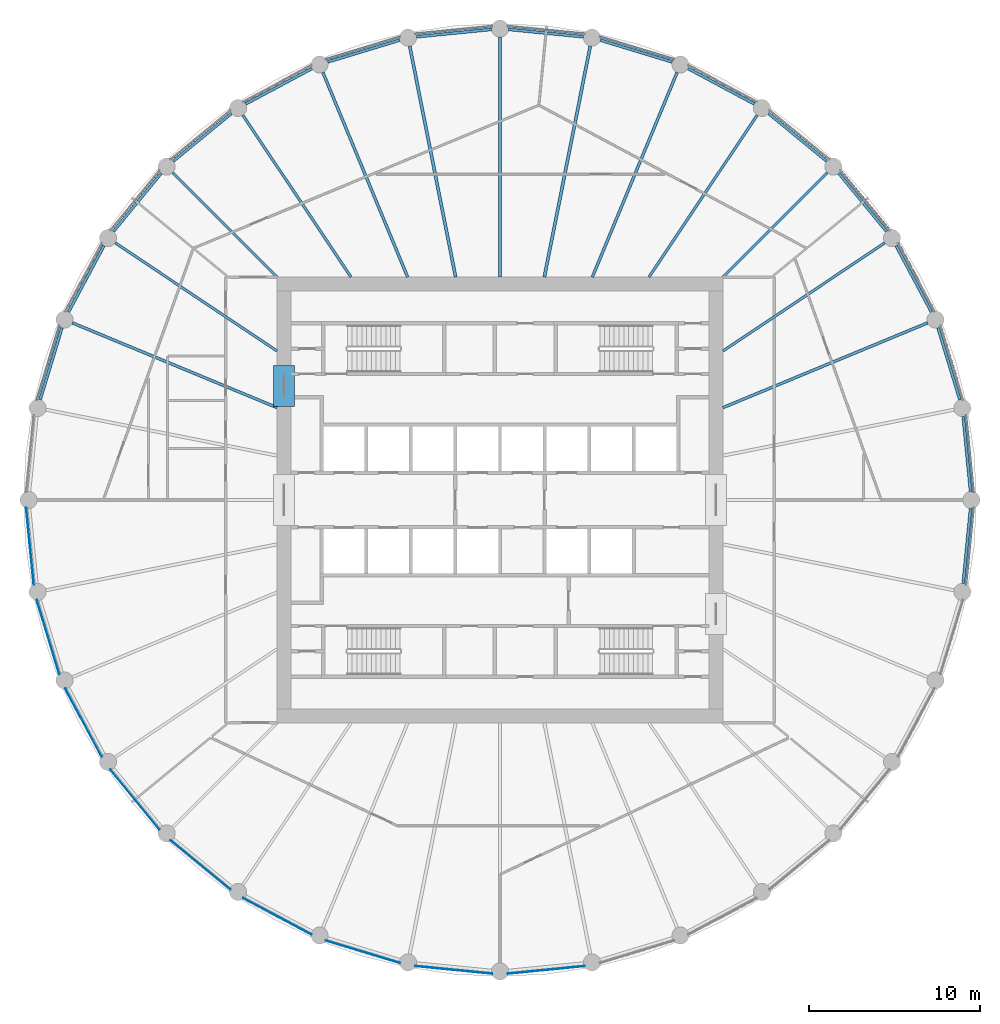
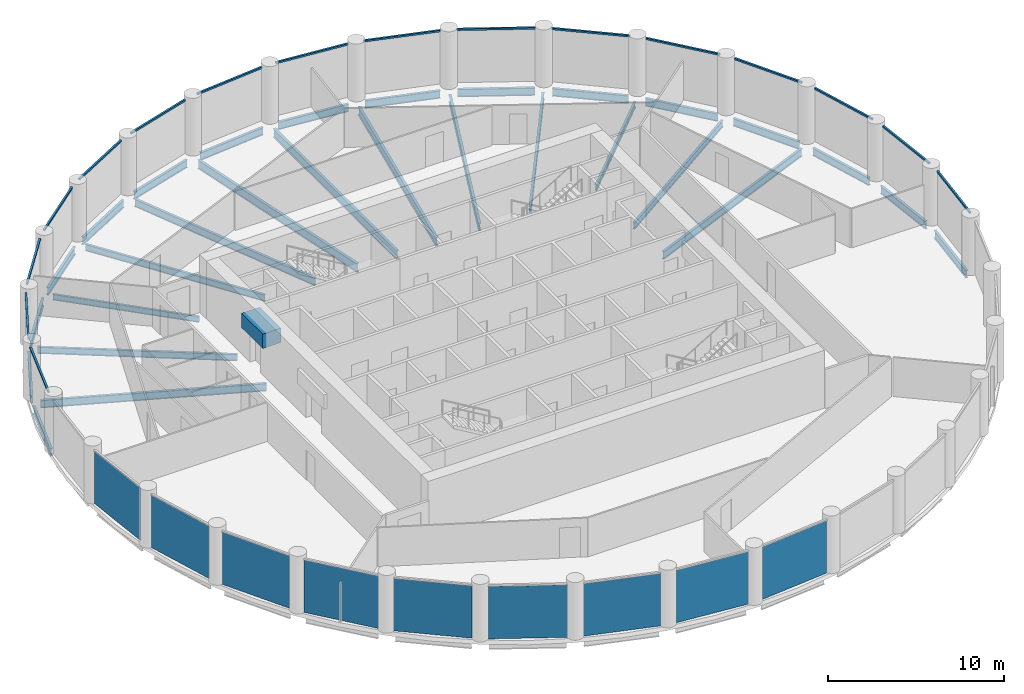
# One storey, part 2 of 8: 30 beams, 16 members, 9 plates, 25 elements without a shape of their own.
"""IFC4 building model written with IfcOpenShell, lengths in metres."""

from ifc_helpers import new_model, si_unit, direction, frame, origin, origin_2d, place, context, subcontext, project, spatial, rectangle, i_section, extrude, material, layer, layer_set, material_profile, profile_set, type_object, element, aggregate, save


model = new_model("IFC4")

# Units and contexts
model_context = context("Model", 3, precision=1e-05, world=origin(), true_north=direction((0.0, 1.0)))
body_context = subcontext(model_context, "Body", "Model", "MODEL_VIEW")
ifc_project = project(units=[si_unit("LENGTHUNIT", "METRE"), si_unit("AREAUNIT", "SQUARE_METRE"), si_unit("VOLUMEUNIT", "CUBIC_METRE"), si_unit("PLANEANGLEUNIT", "RADIAN"), si_unit("MASSUNIT", "GRAM", prefix="KILO")], contexts=[model_context])

# Site, building, storey
site_placement = place(None, origin())
site = spatial("IfcSite", under=ifc_project, at=site_placement, CompositionType="ELEMENT")
building_placement = place(site_placement, origin())
building = spatial("IfcBuilding", under=site, at=building_placement, Name="Corvane Civic Tower", CompositionType="ELEMENT")
storey_placement = place(building_placement, frame((0.0, 0.0, 237.5)))
storey = spatial("IfcBuildingStorey", under=building, at=storey_placement, Name="L56", CompositionType="ELEMENT", Elevation=237.5)

# Beams
ifc_material_1 = material(Name="Concrete C50/60", Category="concrete")
ifc_material_profile_1 = material_profile(ifc_material_1, rectangle(XDim=1.199951171875, YDim=1.0, at=origin_2d()), Name="COUPLING BEAM 1200X1000")
ifc_profile_set_1 = profile_set([ifc_material_profile_1], Name="Concrete C50/60")
beam_type_1 = type_object("IfcBeamType", Name="COUPLING BEAM COUPLING BEAM 1200X1000", PredefinedType="BEAM", material=ifc_profile_set_1)
beam_1_placement = place(storey_placement, frame((-12.60009765625, 5.449951171875, 2.60009765625), z_axis=(0.0, 1.0, 0.0), x_axis=(-1.0, 0.0, 0.0)))
element("IfcBeam", 1, at=beam_1_placement, inside=storey, type_object=beam_type_1, Name="BM-L56-cpl-CW-WN", PredefinedType="BEAM", context=body_context, shape_type="SweptSolid", body=[
    extrude(rectangle(XDim=1.199951171875, YDim=1.0, at=origin_2d()), origin(), (0.0, 0.0, 1.0), 2.400146484375),
])
ifc_material_2 = material(Name="Steel ASTM A992 Gr 50", Category="steel")
ifc_material_profile_2 = material_profile(ifc_material_2, i_section(OverallWidth=0.165771484375, OverallDepth=0.5283203125, WebThickness=0.009765625, FlangeThickness=0.013671875, at=origin_2d()), Name="W21X50")
ifc_profile_set_2 = profile_set([ifc_material_profile_2], Name="Steel ASTM A992 Gr 50")
beam_type_2 = type_object("IfcBeamType", Name="EDGE BEAM W21X50", PredefinedType="BEAM", material=ifc_profile_set_2)
beam_2_placement = place(storey_placement, frame((0.49755859375, 27.450927734375, -0.564208984375), z_axis=(0.995189593769, -0.097967711281, 0.0), x_axis=(0.097967711281, 0.995189593769, 0.0)))
element("IfcBeam", 2, at=beam_2_placement, inside=storey, type_object=beam_type_2, Name="BM-L56-E01", PredefinedType="BEAM", context=body_context, shape_type="SweptSolid", body=[
    extrude(i_section(OverallWidth=0.165771484375, OverallDepth=0.5283203125, WebThickness=0.009765625, FlangeThickness=0.013671875, at=origin_2d()), origin(), (0.0, 0.0, 1.0), 4.39111328125),
])
beam_3_placement = place(storey_placement, frame((5.843505859375, 26.826416015625, -0.564208984375), z_axis=(0.956949547653, -0.290254307888, 0.0), x_axis=(0.290254307888, 0.956949547653, 0.0)))
element("IfcBeam", 3, at=beam_3_placement, inside=storey, type_object=beam_type_2, Name="BM-L56-E02", PredefinedType="BEAM", context=body_context, shape_type="SweptSolid", body=[
    extrude(i_section(OverallWidth=0.165771484375, OverallDepth=0.5283203125, WebThickness=0.009765625, FlangeThickness=0.013671875, at=origin_2d()), origin(), (0.0, 0.0, 1.0), 4.390625),
])
for number, where, z_axis, x_axis, name in (
    (4, (10.964599609375, 25.171142578125, -0.564208984375), (0.881907756852, -0.471422006704, 0.0), (0.471422006704, 0.881907756852, 0.0), "BM-L56-E03"),
    (5, (15.66455078125, 22.54833984375, -0.564208984375), (0.773030026524, -0.634369433447, 0.0), (0.634369433447, 0.773030026524, 0.0), "BM-L56-E04"),
    (6, (19.7626953125, 19.05908203125, -0.564208984375), (0.634369433447, -0.773030026524, 0.0), (0.773030026524, 0.634369433447, 0.0), "BM-L56-E05"),
    (7, (23.10107421875, 14.837158203125, -0.564208984375), (0.471422006704, -0.881907756852, 0.0), (0.881907756852, 0.471422006704, 0.0), "BM-L56-E06"),
):
    element("IfcBeam", number, at=place(storey_placement, frame(where, z_axis=z_axis, x_axis=x_axis)), inside=storey, type_object=beam_type_2, Name=name, PredefinedType="BEAM", context=body_context, shape_type="SweptSolid", body=[
        extrude(i_section(OverallWidth=0.165771484375, OverallDepth=0.5283203125, WebThickness=0.009765625, FlangeThickness=0.013671875, at=origin_2d()), origin(), (0.0, 0.0, 1.0), 4.39111328125),
    ])
beam_4_placement = place(storey_placement, frame((25.552001953125, 10.045166015625, -0.564208984375), z_axis=(0.290254307888, -0.956949547653, 0.0), x_axis=(0.956949547653, 0.290254307888, 0.0)))
element("IfcBeam", 8, at=beam_4_placement, inside=storey, type_object=beam_type_2, Name="BM-L56-E07", PredefinedType="BEAM", context=body_context, shape_type="SweptSolid", body=[
    extrude(i_section(OverallWidth=0.165771484375, OverallDepth=0.5283203125, WebThickness=0.009765625, FlangeThickness=0.013671875, at=origin_2d()), origin(), (0.0, 0.0, 1.0), 4.390625),
])
for number, where, z_axis, x_axis, name in (
    (9, (27.020751953125, 4.867431640625, -0.564208984375), (0.097967711281, -0.995189593769, 0.0), (0.995189593769, 0.097967711281, 0.0), "BM-L56-E08"),
    (10, (27.450927734375, -0.49755859375, -0.564208984375), (-0.097967711281, -0.995189593769, 0.0), (0.995189593769, -0.097967711281, 0.0), "BM-L56-E09"),
):
    element("IfcBeam", number, at=place(storey_placement, frame(where, z_axis=z_axis, x_axis=x_axis)), inside=storey, type_object=beam_type_2, Name=name, PredefinedType="BEAM", context=body_context, shape_type="SweptSolid", body=[
        extrude(i_section(OverallWidth=0.165771484375, OverallDepth=0.5283203125, WebThickness=0.009765625, FlangeThickness=0.013671875, at=origin_2d()), origin(), (0.0, 0.0, 1.0), 4.39111328125),
    ])
beam_5_placement = place(storey_placement, frame((-26.826416015625, 5.843505859375, -0.564208984375), z_axis=(0.290254307888, 0.956949547653, 0.0), x_axis=(-0.956949547653, 0.290254307888, 0.0)))
element("IfcBeam", 11, at=beam_5_placement, inside=storey, type_object=beam_type_2, Name="BM-L56-E26", PredefinedType="BEAM", context=body_context, shape_type="SweptSolid", body=[
    extrude(i_section(OverallWidth=0.165771484375, OverallDepth=0.5283203125, WebThickness=0.009765625, FlangeThickness=0.013671875, at=origin_2d()), origin(), (0.0, 0.0, 1.0), 4.390625),
])
for number, where, z_axis, x_axis, name in (
    (12, (-25.171142578125, 10.964599609375, -0.564208984375), (0.471422006704, 0.881907756852, 0.0), (-0.881907756852, 0.471422006704, 0.0), "BM-L56-E27"),
    (13, (-22.54833984375, 15.66455078125, -0.564208984375), (0.634369433447, 0.773030026524, 0.0), (-0.773030026524, 0.634369433447, 0.0), "BM-L56-E28"),
    (14, (-19.05908203125, 19.7626953125, -0.564208984375), (0.773030026524, 0.634369433447, 0.0), (-0.634369433447, 0.773030026524, 0.0), "BM-L56-E29"),
    (15, (-14.837158203125, 23.10107421875, -0.564208984375), (0.881907756852, 0.471422006704, 0.0), (-0.471422006704, 0.881907756852, 0.0), "BM-L56-E30"),
):
    element("IfcBeam", number, at=place(storey_placement, frame(where, z_axis=z_axis, x_axis=x_axis)), inside=storey, type_object=beam_type_2, Name=name, PredefinedType="BEAM", context=body_context, shape_type="SweptSolid", body=[
        extrude(i_section(OverallWidth=0.165771484375, OverallDepth=0.5283203125, WebThickness=0.009765625, FlangeThickness=0.013671875, at=origin_2d()), origin(), (0.0, 0.0, 1.0), 4.39111328125),
    ])
beam_6_placement = place(storey_placement, frame((-10.045166015625, 25.552001953125, -0.564208984375), z_axis=(0.956949547653, 0.290254307888, 0.0), x_axis=(-0.290254307888, 0.956949547653, 0.0)))
element("IfcBeam", 16, at=beam_6_placement, inside=storey, type_object=beam_type_2, Name="BM-L56-E31", PredefinedType="BEAM", context=body_context, shape_type="SweptSolid", body=[
    extrude(i_section(OverallWidth=0.165771484375, OverallDepth=0.5283203125, WebThickness=0.009765625, FlangeThickness=0.013671875, at=origin_2d()), origin(), (0.0, 0.0, 1.0), 4.390625),
])
beam_7_placement = place(storey_placement, frame((-4.867431640625, 27.020751953125, -0.564208984375), z_axis=(0.995189593769, 0.097967711281, 0.0), x_axis=(-0.097967711281, 0.995189593769, 0.0)))
element("IfcBeam", 17, at=beam_7_placement, inside=storey, type_object=beam_type_2, Name="BM-L56-E32", PredefinedType="BEAM", context=body_context, shape_type="SweptSolid", body=[
    extrude(i_section(OverallWidth=0.165771484375, OverallDepth=0.5283203125, WebThickness=0.009765625, FlangeThickness=0.013671875, at=origin_2d()), origin(), (0.0, 0.0, 1.0), 4.39111328125),
])
ifc_material_3 = material(Name="Steel ASTM A992 Gr 50", Category="steel")
ifc_material_profile_3 = material_profile(ifc_material_3, i_section(OverallWidth=0.140380859375, OverallDepth=0.40380859375, WebThickness=0.007080078125, FlangeThickness=0.01123046875, at=origin_2d()), Name="W16X31")
ifc_profile_set_3 = profile_set([ifc_material_profile_3], Name="Steel ASTM A992 Gr 50")
beam_type_3 = type_object("IfcBeamType", Name="FLOOR GIRDER W16X31", PredefinedType="BEAM", material=ifc_profile_set_3)
for number, where, z_axis, x_axis, name in (
    (18, (13.0, 13.0, -0.501953125), (0.707106781187, 0.707106781187, 0.0), (-0.707106781187, 0.707106781187, 0.0), "BM-L56-G05"),
    (19, (-13.0, 13.0, -0.501953125), (-0.707106781187, 0.707106781187, 0.0), (-0.707106781187, -0.707106781187, 0.0), "BM-L56-G29"),
):
    element("IfcBeam", number, at=place(storey_placement, frame(where, z_axis=z_axis, x_axis=x_axis)), inside=storey, type_object=beam_type_3, Name=name, PredefinedType="BEAM", context=body_context, shape_type="SweptSolid", body=[
        extrude(i_section(OverallWidth=0.140380859375, OverallDepth=0.40380859375, WebThickness=0.007080078125, FlangeThickness=0.01123046875, at=origin_2d()), origin(), (0.0, 0.0, 1.0), 8.614990234375),
    ])
ifc_material_4 = material(Name="Steel ASTM A992 Gr 50", Category="steel")
ifc_material_profile_4 = material_profile(ifc_material_4, i_section(OverallWidth=0.15283203125, OverallDepth=0.45458984375, WebThickness=0.008056640625, FlangeThickness=0.013427734375, at=origin_2d()), Name="W18X40")
ifc_profile_set_4 = profile_set([ifc_material_profile_4], Name="Steel ASTM A992 Gr 50")
beam_type_4 = type_object("IfcBeamType", Name="FLOOR GIRDER W18X40", PredefinedType="BEAM", material=ifc_profile_set_4)
for number, where, z_axis, x_axis, name in (
    (20, (8.686279296875, 13.0, -0.52734375), (0.555577326485, 0.831464872557, 0.0), (-0.831464872557, 0.555577326485, 0.0), "BM-L56-G04"),
    (21, (13.0, 8.686279296875, -0.52734375), (0.831464872557, 0.555577326485, 0.0), (-0.555577326485, 0.831464872557, 0.0), "BM-L56-G06"),
    (22, (-13.0, 8.686279296875, -0.52734375), (-0.831464872557, 0.555577326485, 0.0), (-0.555577326485, -0.831464872557, 0.0), "BM-L56-G28"),
    (23, (-8.686279296875, 13.0, -0.52734375), (-0.555577326485, 0.831464872557, 0.0), (-0.831464872557, -0.555577326485, 0.0), "BM-L56-G30"),
):
    element("IfcBeam", number, at=place(storey_placement, frame(where, z_axis=z_axis, x_axis=x_axis)), inside=storey, type_object=beam_type_4, Name=name, PredefinedType="BEAM", context=body_context, shape_type="SweptSolid", body=[
        extrude(i_section(OverallWidth=0.15283203125, OverallDepth=0.45458984375, WebThickness=0.008056640625, FlangeThickness=0.013427734375, at=origin_2d()), origin(), (0.0, 0.0, 1.0), 11.365234375),
    ])
ifc_material_5 = material(Name="Steel ASTM A992 Gr 50", Category="steel")
ifc_material_profile_5 = material_profile(ifc_material_5, i_section(OverallWidth=0.165771484375, OverallDepth=0.5283203125, WebThickness=0.009765625, FlangeThickness=0.013671875, at=origin_2d()), Name="W21X50")
ifc_profile_set_5 = profile_set([ifc_material_profile_5], Name="Steel ASTM A992 Gr 50")
beam_type_5 = type_object("IfcBeamType", Name="FLOOR GIRDER W21X50", PredefinedType="BEAM", material=ifc_profile_set_5)
for number, where, z_axis, x_axis, name in (
    (24, (5.384765625, 13.0, -0.564208984375), (0.382686450378, 0.923878282404, 0.0), (-0.923878282404, 0.382686450378, 0.0), "BM-L56-G03"),
    (25, (13.0, 5.384765625, -0.564208984375), (0.923878282404, 0.382686450378, 0.0), (-0.382686450378, 0.923878282404, 0.0), "BM-L56-G07"),
    (26, (-13.0, 5.384765625, -0.564208984375), (-0.923878282404, 0.382686450378, 0.0), (-0.382686450378, -0.923878282404, 0.0), "BM-L56-G27"),
    (27, (-5.384765625, 13.0, -0.564208984375), (-0.382686450378, 0.923878282404, 0.0), (-0.923878282404, -0.382686450378, 0.0), "BM-L56-G31"),
):
    element("IfcBeam", number, at=place(storey_placement, frame(where, z_axis=z_axis, x_axis=x_axis)), inside=storey, type_object=beam_type_5, Name=name, PredefinedType="BEAM", context=body_context, shape_type="SweptSolid", body=[
        extrude(i_section(OverallWidth=0.165771484375, OverallDepth=0.5283203125, WebThickness=0.009765625, FlangeThickness=0.013671875, at=origin_2d()), origin(), (0.0, 0.0, 1.0), 12.928955078125),
    ])
ifc_material_6 = material(Name="Steel ASTM A992 Gr 50", Category="steel")
ifc_material_profile_6 = material_profile(ifc_material_6, i_section(OverallWidth=0.177978515625, OverallDepth=0.599365234375, WebThickness=0.010009765625, FlangeThickness=0.012939453125, at=origin_2d()), Name="W24X55")
ifc_profile_set_6 = profile_set([ifc_material_profile_6], Name="Steel ASTM A992 Gr 50")
beam_type_6 = type_object("IfcBeamType", Name="FLOOR GIRDER W24X55", PredefinedType="BEAM", material=ifc_profile_set_6)
beam_8_placement = place(storey_placement, frame((0.0, 13.0, -0.599609375), z_axis=(0.0, 1.0, 0.0), x_axis=(-1.0, 0.0, 0.0)))
element("IfcBeam", 28, at=beam_8_placement, inside=storey, type_object=beam_type_6, Name="BM-L56-G01", PredefinedType="BEAM", context=body_context, shape_type="SweptSolid", body=[
    extrude(i_section(OverallWidth=0.177978515625, OverallDepth=0.599365234375, WebThickness=0.010009765625, FlangeThickness=0.012939453125, at=origin_2d()), origin(), (0.0, 0.0, 1.0), 14.0),
])
for number, where, z_axis, x_axis, name in (
    (29, (2.5859375, 13.0, -0.599609375), (0.195077644118, 0.980787802109, 0.0), (-0.980787802109, 0.195077644118, 0.0), "BM-L56-G02"),
    (30, (-2.5859375, 13.0, -0.599609375), (-0.195077644118, 0.980787802109, 0.0), (-0.980787802109, -0.195077644118, 0.0), "BM-L56-G32"),
):
    element("IfcBeam", number, at=place(storey_placement, frame(where, z_axis=z_axis, x_axis=x_axis)), inside=storey, type_object=beam_type_6, Name=name, PredefinedType="BEAM", context=body_context, shape_type="SweptSolid", body=[
        extrude(i_section(OverallWidth=0.177978515625, OverallDepth=0.599365234375, WebThickness=0.010009765625, FlangeThickness=0.012939453125, at=origin_2d()), origin(), (0.0, 0.0, 1.0), 13.745361328125),
    ])

# Curtain wall, member
ifc_material_7 = material(Name="Anodised aluminium bronze", Category="aluminium")
curtain_wall_type = type_object("IfcCurtainWallType", Name="TOWER CW-T2 STICK CURTAIN WALL", PredefinedType="NOTDEFINED", material=ifc_material_7)
curtain_wall_1_placement = place(storey_placement, origin())
curtain_wall_1 = element("IfcCurtainWall", 31, at=curtain_wall_1_placement, inside=storey, type_object=curtain_wall_type, Name="Curtain wall CW-T2 L56 bay 01", PredefinedType="NOTDEFINED")
ifc_material_8 = material(Name="Anodised aluminium bronze", Category="aluminium")
ifc_material_profile_7 = material_profile(ifc_material_8, rectangle(XDim=0.1201171875, YDim=0.1201171875, at=origin_2d()), Name="TOWER CW-T2 TRANSOM 120x120")
ifc_profile_set_7 = profile_set([ifc_material_profile_7], Name="Anodised aluminium bronze")
member_type = type_object("IfcMemberType", Name="TOWER CW-T2 TRANSOM 120x120", PredefinedType="USERDEFINED", material=ifc_profile_set_7)
member_1_placement = place(storey_placement, frame((0.452392578125, 27.635498046875, 3.68994140625), z_axis=(0.995182207386, -0.098042715701, 0.0), x_axis=(0.098042715701, 0.995182207386, 0.0)))
member_1 = element("IfcMember", 32, at=member_1_placement, type_object=member_type, Name="Transom CW-T2 L56 01.1", ObjectType="TRANSOM", PredefinedType="USERDEFINED", context=body_context, shape_type="SweptSolid", body=[
    extrude(rectangle(XDim=0.1201171875, YDim=0.1201171875, at=origin_2d()), origin(), (0.0, 0.0, 1.0), 4.51708984375),
])
aggregate(curtain_wall_1, [member_1])

curtain_wall_2_placement = place(storey_placement, origin())
curtain_wall_2 = element("IfcCurtainWall", 33, at=curtain_wall_2_placement, inside=storey, type_object=curtain_wall_type, Name="Curtain wall CW-T2 L56 bay 02", PredefinedType="NOTDEFINED")
member_2_placement = place(storey_placement, frame((5.8349609375, 27.016357421875, 3.68994140625), z_axis=(0.956941182173, -0.2902818869, 0.0), x_axis=(0.2902818869, 0.956941182173, 0.0)))
member_2 = element("IfcMember", 34, at=member_2_placement, type_object=member_type, Name="Transom CW-T2 L56 02.1", ObjectType="TRANSOM", PredefinedType="USERDEFINED", context=body_context, shape_type="SweptSolid", body=[
    extrude(rectangle(XDim=0.1201171875, YDim=0.1201171875, at=origin_2d()), origin(), (0.0, 0.0, 1.0), 4.517333984375),
])
aggregate(curtain_wall_2, [member_2])

curtain_wall_3_placement = place(storey_placement, origin())
curtain_wall_3 = element("IfcCurtainWall", 35, at=curtain_wall_3_placement, inside=storey, type_object=curtain_wall_type, Name="Curtain wall CW-T2 L56 bay 03", PredefinedType="NOTDEFINED")
member_3_placement = place(storey_placement, frame((10.993408203125, 25.35888671875, 3.68994140625), z_axis=(0.881924695689, -0.471390317183, 0.0), x_axis=(0.471390317183, 0.881924695689, 0.0)))
member_3 = element("IfcMember", 36, at=member_3_placement, type_object=member_type, Name="Transom CW-T2 L56 03.1", ObjectType="TRANSOM", PredefinedType="USERDEFINED", context=body_context, shape_type="SweptSolid", body=[
    extrude(rectangle(XDim=0.1201171875, YDim=0.1201171875, at=origin_2d()), origin(), (0.0, 0.0, 1.0), 4.517333984375),
])
aggregate(curtain_wall_3, [member_3])

curtain_wall_4_placement = place(storey_placement, origin())
curtain_wall_4 = element("IfcCurtainWall", 37, at=curtain_wall_4_placement, inside=storey, type_object=curtain_wall_type, Name="Curtain wall CW-T2 L56 bay 04", PredefinedType="NOTDEFINED")
member_4_placement = place(storey_placement, frame((15.7294921875, 22.726806640625, 3.68994140625), z_axis=(0.773014925698, -0.634387834569, 0.0), x_axis=(0.634387834569, 0.773014925698, 0.0)))
member_4 = element("IfcMember", 38, at=member_4_placement, type_object=member_type, Name="Transom CW-T2 L56 04.1", ObjectType="TRANSOM", PredefinedType="USERDEFINED", context=body_context, shape_type="SweptSolid", body=[
    extrude(rectangle(XDim=0.1201171875, YDim=0.1201171875, at=origin_2d()), origin(), (0.0, 0.0, 1.0), 4.517333984375),
])
aggregate(curtain_wall_4, [member_4])

curtain_wall_5_placement = place(storey_placement, origin())
curtain_wall_5 = element("IfcCurtainWall", 39, at=curtain_wall_5_placement, inside=storey, type_object=curtain_wall_type, Name="Curtain wall CW-T2 L56 bay 05", PredefinedType="NOTDEFINED")
member_5_placement = place(storey_placement, frame((19.861083984375, 19.221435546875, 3.68994140625), z_axis=(0.634387834569, -0.773014925698, 0.0), x_axis=(0.773014925698, 0.634387834569, 0.0)))
member_5 = element("IfcMember", 40, at=member_5_placement, type_object=member_type, Name="Transom CW-T2 L56 05.1", ObjectType="TRANSOM", PredefinedType="USERDEFINED", context=body_context, shape_type="SweptSolid", body=[
    extrude(rectangle(XDim=0.1201171875, YDim=0.1201171875, at=origin_2d()), origin(), (0.0, 0.0, 1.0), 4.517333984375),
])
aggregate(curtain_wall_5, [member_5])

curtain_wall_6_placement = place(storey_placement, origin())
curtain_wall_6 = element("IfcCurtainWall", 41, at=curtain_wall_6_placement, inside=storey, type_object=curtain_wall_type, Name="Curtain wall CW-T2 L56 bay 06", PredefinedType="NOTDEFINED")
member_6_placement = place(storey_placement, frame((23.2294921875, 14.977294921875, 3.68994140625), z_axis=(0.471390317183, -0.881924695689, 0.0), x_axis=(0.881924695689, 0.471390317183, 0.0)))
member_6 = element("IfcMember", 42, at=member_6_placement, type_object=member_type, Name="Transom CW-T2 L56 06.1", ObjectType="TRANSOM", PredefinedType="USERDEFINED", context=body_context, shape_type="SweptSolid", body=[
    extrude(rectangle(XDim=0.1201171875, YDim=0.1201171875, at=origin_2d()), origin(), (0.0, 0.0, 1.0), 4.517333984375),
])
aggregate(curtain_wall_6, [member_6])

curtain_wall_7_placement = place(storey_placement, origin())
curtain_wall_7 = element("IfcCurtainWall", 43, at=curtain_wall_7_placement, inside=storey, type_object=curtain_wall_type, Name="Curtain wall CW-T2 L56 bay 07", PredefinedType="NOTDEFINED")
member_7_placement = place(storey_placement, frame((25.705078125, 10.15771484375, 3.68994140625), z_axis=(0.2902818869, -0.956941182173, 0.0), x_axis=(0.956941182173, 0.2902818869, 0.0)))
member_7 = element("IfcMember", 44, at=member_7_placement, type_object=member_type, Name="Transom CW-T2 L56 07.1", ObjectType="TRANSOM", PredefinedType="USERDEFINED", context=body_context, shape_type="SweptSolid", body=[
    extrude(rectangle(XDim=0.1201171875, YDim=0.1201171875, at=origin_2d()), origin(), (0.0, 0.0, 1.0), 4.517333984375),
])
aggregate(curtain_wall_7, [member_7])

curtain_wall_8_placement = place(storey_placement, origin())
curtain_wall_8 = element("IfcCurtainWall", 45, at=curtain_wall_8_placement, inside=storey, type_object=curtain_wall_type, Name="Curtain wall CW-T2 L56 bay 08", PredefinedType="NOTDEFINED")
member_8_placement = place(storey_placement, frame((27.192626953125, 4.94775390625, 3.68994140625), z_axis=(0.098042715701, -0.995182207386, 0.0), x_axis=(0.995182207386, 0.098042715701, 0.0)))
member_8 = element("IfcMember", 46, at=member_8_placement, type_object=member_type, Name="Transom CW-T2 L56 08.1", ObjectType="TRANSOM", PredefinedType="USERDEFINED", context=body_context, shape_type="SweptSolid", body=[
    extrude(rectangle(XDim=0.1201171875, YDim=0.1201171875, at=origin_2d()), origin(), (0.0, 0.0, 1.0), 4.51708984375),
])
aggregate(curtain_wall_8, [member_8])

curtain_wall_9_placement = place(storey_placement, origin())
curtain_wall_9 = element("IfcCurtainWall", 47, at=curtain_wall_9_placement, inside=storey, type_object=curtain_wall_type, Name="Curtain wall CW-T2 L56 bay 09", PredefinedType="NOTDEFINED")
member_9_placement = place(storey_placement, frame((27.635498046875, -0.452392578125, 3.68994140625), z_axis=(-0.098042715701, -0.995182207386, 0.0), x_axis=(0.995182207386, -0.098042715701, 0.0)))
member_9 = element("IfcMember", 48, at=member_9_placement, type_object=member_type, Name="Transom CW-T2 L56 09.1", ObjectType="TRANSOM", PredefinedType="USERDEFINED", context=body_context, shape_type="SweptSolid", body=[
    extrude(rectangle(XDim=0.1201171875, YDim=0.1201171875, at=origin_2d()), origin(), (0.0, 0.0, 1.0), 4.51708984375),
])
aggregate(curtain_wall_9, [member_9])

curtain_wall_10_placement = place(storey_placement, origin())
curtain_wall_10 = element("IfcCurtainWall", 49, at=curtain_wall_10_placement, inside=storey, type_object=curtain_wall_type, Name="Curtain wall CW-T2 L56 bay 26", PredefinedType="NOTDEFINED")
member_10_placement = place(storey_placement, frame((-27.016357421875, 5.8349609375, 3.68994140625), z_axis=(0.2902818869, 0.956941182173, 0.0), x_axis=(-0.956941182173, 0.2902818869, 0.0)))
member_10 = element("IfcMember", 50, at=member_10_placement, type_object=member_type, Name="Transom CW-T2 L56 26.1", ObjectType="TRANSOM", PredefinedType="USERDEFINED", context=body_context, shape_type="SweptSolid", body=[
    extrude(rectangle(XDim=0.1201171875, YDim=0.1201171875, at=origin_2d()), origin(), (0.0, 0.0, 1.0), 4.517333984375),
])
aggregate(curtain_wall_10, [member_10])

curtain_wall_11_placement = place(storey_placement, origin())
curtain_wall_11 = element("IfcCurtainWall", 51, at=curtain_wall_11_placement, inside=storey, type_object=curtain_wall_type, Name="Curtain wall CW-T2 L56 bay 27", PredefinedType="NOTDEFINED")
member_11_placement = place(storey_placement, frame((-25.35888671875, 10.993408203125, 3.68994140625), z_axis=(0.471390317183, 0.881924695689, 0.0), x_axis=(-0.881924695689, 0.471390317183, 0.0)))
member_11 = element("IfcMember", 52, at=member_11_placement, type_object=member_type, Name="Transom CW-T2 L56 27.1", ObjectType="TRANSOM", PredefinedType="USERDEFINED", context=body_context, shape_type="SweptSolid", body=[
    extrude(rectangle(XDim=0.1201171875, YDim=0.1201171875, at=origin_2d()), origin(), (0.0, 0.0, 1.0), 4.517333984375),
])
aggregate(curtain_wall_11, [member_11])

curtain_wall_12_placement = place(storey_placement, origin())
curtain_wall_12 = element("IfcCurtainWall", 53, at=curtain_wall_12_placement, inside=storey, type_object=curtain_wall_type, Name="Curtain wall CW-T2 L56 bay 28", PredefinedType="NOTDEFINED")
member_12_placement = place(storey_placement, frame((-22.726806640625, 15.7294921875, 3.68994140625), z_axis=(0.634387834569, 0.773014925698, 0.0), x_axis=(-0.773014925698, 0.634387834569, 0.0)))
member_12 = element("IfcMember", 54, at=member_12_placement, type_object=member_type, Name="Transom CW-T2 L56 28.1", ObjectType="TRANSOM", PredefinedType="USERDEFINED", context=body_context, shape_type="SweptSolid", body=[
    extrude(rectangle(XDim=0.1201171875, YDim=0.1201171875, at=origin_2d()), origin(), (0.0, 0.0, 1.0), 4.517333984375),
])
aggregate(curtain_wall_12, [member_12])

curtain_wall_13_placement = place(storey_placement, origin())
curtain_wall_13 = element("IfcCurtainWall", 55, at=curtain_wall_13_placement, inside=storey, type_object=curtain_wall_type, Name="Curtain wall CW-T2 L56 bay 29", PredefinedType="NOTDEFINED")
member_13_placement = place(storey_placement, frame((-19.221435546875, 19.861083984375, 3.68994140625), z_axis=(0.773014925698, 0.634387834569, 0.0), x_axis=(-0.634387834569, 0.773014925698, 0.0)))
member_13 = element("IfcMember", 56, at=member_13_placement, type_object=member_type, Name="Transom CW-T2 L56 29.1", ObjectType="TRANSOM", PredefinedType="USERDEFINED", context=body_context, shape_type="SweptSolid", body=[
    extrude(rectangle(XDim=0.1201171875, YDim=0.1201171875, at=origin_2d()), origin(), (0.0, 0.0, 1.0), 4.517333984375),
])
aggregate(curtain_wall_13, [member_13])

curtain_wall_14_placement = place(storey_placement, origin())
curtain_wall_14 = element("IfcCurtainWall", 57, at=curtain_wall_14_placement, inside=storey, type_object=curtain_wall_type, Name="Curtain wall CW-T2 L56 bay 30", PredefinedType="NOTDEFINED")
member_14_placement = place(storey_placement, frame((-14.977294921875, 23.2294921875, 3.68994140625), z_axis=(0.881924695689, 0.471390317183, 0.0), x_axis=(-0.471390317183, 0.881924695689, 0.0)))
member_14 = element("IfcMember", 58, at=member_14_placement, type_object=member_type, Name="Transom CW-T2 L56 30.1", ObjectType="TRANSOM", PredefinedType="USERDEFINED", context=body_context, shape_type="SweptSolid", body=[
    extrude(rectangle(XDim=0.1201171875, YDim=0.1201171875, at=origin_2d()), origin(), (0.0, 0.0, 1.0), 4.517333984375),
])
aggregate(curtain_wall_14, [member_14])

curtain_wall_15_placement = place(storey_placement, origin())
curtain_wall_15 = element("IfcCurtainWall", 59, at=curtain_wall_15_placement, inside=storey, type_object=curtain_wall_type, Name="Curtain wall CW-T2 L56 bay 31", PredefinedType="NOTDEFINED")
member_15_placement = place(storey_placement, frame((-10.15771484375, 25.705078125, 3.68994140625), z_axis=(0.956941182173, 0.2902818869, 0.0), x_axis=(-0.2902818869, 0.956941182173, 0.0)))
member_15 = element("IfcMember", 60, at=member_15_placement, type_object=member_type, Name="Transom CW-T2 L56 31.1", ObjectType="TRANSOM", PredefinedType="USERDEFINED", context=body_context, shape_type="SweptSolid", body=[
    extrude(rectangle(XDim=0.1201171875, YDim=0.1201171875, at=origin_2d()), origin(), (0.0, 0.0, 1.0), 4.517333984375),
])
aggregate(curtain_wall_15, [member_15])

curtain_wall_16_placement = place(storey_placement, origin())
curtain_wall_16 = element("IfcCurtainWall", 61, at=curtain_wall_16_placement, inside=storey, type_object=curtain_wall_type, Name="Curtain wall CW-T2 L56 bay 32", PredefinedType="NOTDEFINED")
member_16_placement = place(storey_placement, frame((-4.94775390625, 27.192626953125, 3.68994140625), z_axis=(0.995182207386, 0.098042715701, 0.0), x_axis=(-0.098042715701, 0.995182207386, 0.0)))
member_16 = element("IfcMember", 62, at=member_16_placement, type_object=member_type, Name="Transom CW-T2 L56 32.1", ObjectType="TRANSOM", PredefinedType="USERDEFINED", context=body_context, shape_type="SweptSolid", body=[
    extrude(rectangle(XDim=0.1201171875, YDim=0.1201171875, at=origin_2d()), origin(), (0.0, 0.0, 1.0), 4.51708984375),
])
aggregate(curtain_wall_16, [member_16])

# Curtain wall, plate
curtain_wall_17_placement = place(storey_placement, origin())
curtain_wall_17 = element("IfcCurtainWall", 63, at=curtain_wall_17_placement, inside=storey, type_object=curtain_wall_type, Name="Curtain wall CW-T2 L56 bay 16", PredefinedType="NOTDEFINED")
ifc_material_9 = material(Name="Tinted glass", Category="glass")
ifc_layer = layer(ifc_material_9, 0.031982421875)
ifc_layer_set = layer_set([ifc_layer], Name="Tinted glass")
plate_type = type_object("IfcPlateType", Name="TOWER CW-T2 PANEL IGU32", PredefinedType="CURTAIN_PANEL", material=ifc_layer_set)
plate_1_placement = place(storey_placement, frame((2.699951171875, -27.4140625, 0.0), z_axis=(0.0, 0.0, 1.0), x_axis=(-0.995187058378, -0.097993463235, 0.0)))
plate_1 = element("IfcPlate", 64, at=plate_1_placement, type_object=plate_type, Name="Glass panel CW-T2 L56 16.1", PredefinedType="CURTAIN_PANEL", context=body_context, shape_type="SweptSolid", body=[
    extrude(rectangle(XDim=4.517333984375, YDim=0.031982421875, at=origin_2d()), origin(), (0.0, 0.0, 1.0), 3.6298828125),
])
aggregate(curtain_wall_17, [plate_1])

curtain_wall_18_placement = place(storey_placement, origin())
curtain_wall_18 = element("IfcCurtainWall", 65, at=curtain_wall_18_placement, inside=storey, type_object=curtain_wall_type, Name="Curtain wall CW-T2 L56 bay 17", PredefinedType="NOTDEFINED")
plate_2_placement = place(storey_placement, frame((-2.699951171875, -27.4140625, 0.0), z_axis=(0.0, 0.0, 1.0), x_axis=(-0.995187058378, 0.097993463235, 0.0)))
plate_2 = element("IfcPlate", 66, at=plate_2_placement, type_object=plate_type, Name="Glass panel CW-T2 L56 17.1", PredefinedType="CURTAIN_PANEL", context=body_context, shape_type="SweptSolid", body=[
    extrude(rectangle(XDim=4.517333984375, YDim=0.031982421875, at=origin_2d()), origin(), (0.0, 0.0, 1.0), 3.6298828125),
])
aggregate(curtain_wall_18, [plate_2])

curtain_wall_19_placement = place(storey_placement, origin())
curtain_wall_19 = element("IfcCurtainWall", 67, at=curtain_wall_19_placement, inside=storey, type_object=curtain_wall_type, Name="Curtain wall CW-T2 L56 bay 18", PredefinedType="NOTDEFINED")
plate_3_placement = place(storey_placement, frame((-7.996337890625, -26.360595703125, 0.0), z_axis=(0.0, 0.0, 1.0), x_axis=(-0.956938843612, 0.290289596069, 0.0)))
plate_3 = element("IfcPlate", 68, at=plate_3_placement, type_object=plate_type, Name="Glass panel CW-T2 L56 18.1", PredefinedType="CURTAIN_PANEL", context=body_context, shape_type="SweptSolid", body=[
    extrude(rectangle(XDim=4.517333984375, YDim=0.031982421875, at=origin_2d()), origin(), (0.0, 0.0, 1.0), 3.6298828125),
])
aggregate(curtain_wall_19, [plate_3])

curtain_wall_20_placement = place(storey_placement, origin())
curtain_wall_20 = element("IfcCurtainWall", 69, at=curtain_wall_20_placement, inside=storey, type_object=curtain_wall_type, Name="Curtain wall CW-T2 L56 bay 19", PredefinedType="NOTDEFINED")
plate_4_placement = place(storey_placement, frame((-12.9853515625, -24.294189453125, 0.0), z_axis=(0.0, 0.0, 1.0), x_axis=(-0.881920381001, 0.471398389449, 0.0)))
plate_4 = element("IfcPlate", 70, at=plate_4_placement, type_object=plate_type, Name="Glass panel CW-T2 L56 19.1", PredefinedType="CURTAIN_PANEL", context=body_context, shape_type="SweptSolid", body=[
    extrude(rectangle(XDim=4.517333984375, YDim=0.031982421875, at=origin_2d()), origin(), (0.0, 0.0, 1.0), 3.6298828125),
])
aggregate(curtain_wall_20, [plate_4])

curtain_wall_21_placement = place(storey_placement, origin())
curtain_wall_21 = element("IfcCurtainWall", 71, at=curtain_wall_21_placement, inside=storey, type_object=curtain_wall_type, Name="Curtain wall CW-T2 L56 bay 20", PredefinedType="NOTDEFINED")
plate_5_placement = place(storey_placement, frame((-17.475341796875, -21.2939453125, 0.0), z_axis=(0.0, 0.0, 1.0), x_axis=(-0.773012269331, 0.634391071394, 0.0)))
plate_5 = element("IfcPlate", 72, at=plate_5_placement, type_object=plate_type, Name="Glass panel CW-T2 L56 20.1", PredefinedType="CURTAIN_PANEL", context=body_context, shape_type="SweptSolid", body=[
    extrude(rectangle(XDim=4.517333984375, YDim=0.031982421875, at=origin_2d()), origin(), (0.0, 0.0, 1.0), 3.6298828125),
])
aggregate(curtain_wall_21, [plate_5])

curtain_wall_22_placement = place(storey_placement, origin())
curtain_wall_22 = element("IfcCurtainWall", 73, at=curtain_wall_22_placement, inside=storey, type_object=curtain_wall_type, Name="Curtain wall CW-T2 L56 bay 21", PredefinedType="NOTDEFINED")
plate_6_placement = place(storey_placement, frame((-21.2939453125, -17.475341796875, 0.0), z_axis=(0.0, 0.0, 1.0), x_axis=(-0.634391071394, 0.773012269331, 0.0)))
plate_6 = element("IfcPlate", 74, at=plate_6_placement, type_object=plate_type, Name="Glass panel CW-T2 L56 21.1", PredefinedType="CURTAIN_PANEL", context=body_context, shape_type="SweptSolid", body=[
    extrude(rectangle(XDim=4.517333984375, YDim=0.031982421875, at=origin_2d()), origin(), (0.0, 0.0, 1.0), 3.6298828125),
])
aggregate(curtain_wall_22, [plate_6])

curtain_wall_23_placement = place(storey_placement, origin())
curtain_wall_23 = element("IfcCurtainWall", 75, at=curtain_wall_23_placement, inside=storey, type_object=curtain_wall_type, Name="Curtain wall CW-T2 L56 bay 22", PredefinedType="NOTDEFINED")
plate_7_placement = place(storey_placement, frame((-24.294189453125, -12.9853515625, 0.0), z_axis=(0.0, 0.0, 1.0), x_axis=(-0.471398389449, 0.881920381001, 0.0)))
plate_7 = element("IfcPlate", 76, at=plate_7_placement, type_object=plate_type, Name="Glass panel CW-T2 L56 22.1", PredefinedType="CURTAIN_PANEL", context=body_context, shape_type="SweptSolid", body=[
    extrude(rectangle(XDim=4.517333984375, YDim=0.031982421875, at=origin_2d()), origin(), (0.0, 0.0, 1.0), 3.6298828125),
])
aggregate(curtain_wall_23, [plate_7])

curtain_wall_24_placement = place(storey_placement, origin())
curtain_wall_24 = element("IfcCurtainWall", 77, at=curtain_wall_24_placement, inside=storey, type_object=curtain_wall_type, Name="Curtain wall CW-T2 L56 bay 23", PredefinedType="NOTDEFINED")
plate_8_placement = place(storey_placement, frame((-26.360595703125, -7.996337890625, 0.0), z_axis=(0.0, 0.0, 1.0), x_axis=(-0.290289596069, 0.956938843612, 0.0)))
plate_8 = element("IfcPlate", 78, at=plate_8_placement, type_object=plate_type, Name="Glass panel CW-T2 L56 23.1", PredefinedType="CURTAIN_PANEL", context=body_context, shape_type="SweptSolid", body=[
    extrude(rectangle(XDim=4.517333984375, YDim=0.031982421875, at=origin_2d()), origin(), (0.0, 0.0, 1.0), 3.6298828125),
])
aggregate(curtain_wall_24, [plate_8])

curtain_wall_25_placement = place(storey_placement, origin())
curtain_wall_25 = element("IfcCurtainWall", 79, at=curtain_wall_25_placement, inside=storey, type_object=curtain_wall_type, Name="Curtain wall CW-T2 L56 bay 24", PredefinedType="NOTDEFINED")
plate_9_placement = place(storey_placement, frame((-27.4140625, -2.699951171875, 0.0), z_axis=(0.0, 0.0, 1.0), x_axis=(-0.097993463235, 0.995187058378, 0.0)))
plate_9 = element("IfcPlate", 80, at=plate_9_placement, type_object=plate_type, Name="Glass panel CW-T2 L56 24.1", PredefinedType="CURTAIN_PANEL", context=body_context, shape_type="SweptSolid", body=[
    extrude(rectangle(XDim=4.517333984375, YDim=0.031982421875, at=origin_2d()), origin(), (0.0, 0.0, 1.0), 3.6298828125),
])
aggregate(curtain_wall_25, [plate_9])

save(model, "model.ifc")
